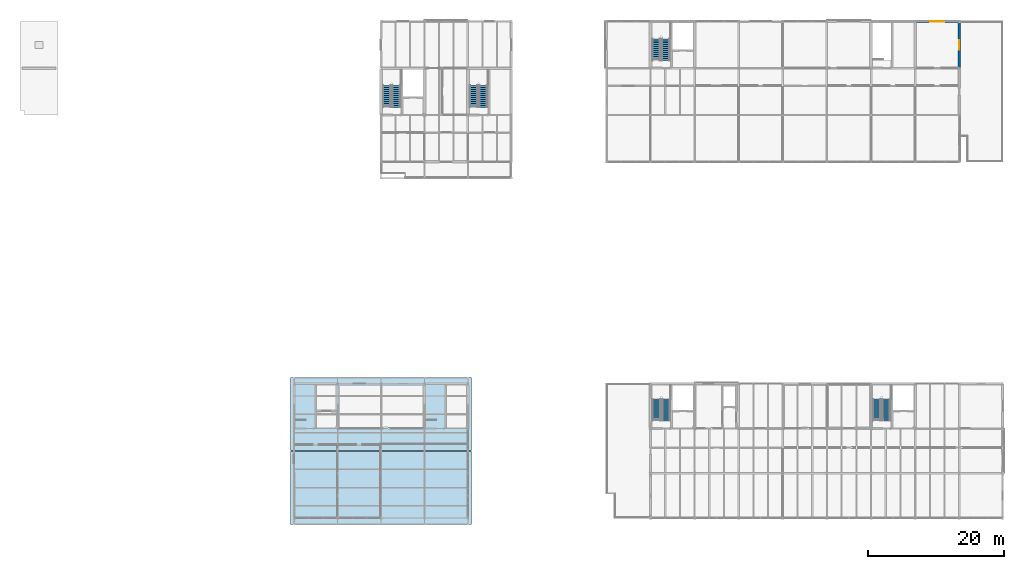
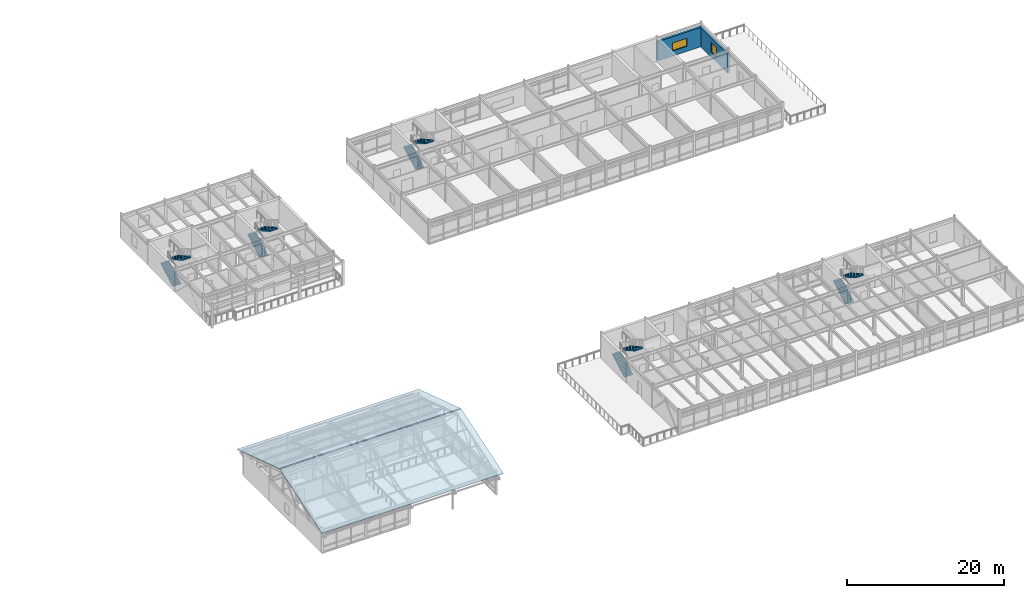
# One storey, part 51 of 57: 10 stair flights, 2 roofs, 2 walls, 2 windows, 2 openings, 5 elements without a shape of their own.
"""IFC4 building model written with IfcOpenShell, lengths in metres."""

from ifc_helpers import new_model, si_unit, direction, frame, frame_2d, origin, place, context, subcontext, project, spatial, polyline, rectangle, outline, extrude, material, layer, layer_set, type_object, element, fill, aggregate, save


model = new_model("IFC4")

# Units and contexts
model_context = context("Model", 3, precision=1e-05, world=origin(), true_north=direction((0.0, 1.0)))
body_context = subcontext(model_context, "Body", "Model", "MODEL_VIEW")
ifc_project = project(units=[si_unit("LENGTHUNIT", "METRE"), si_unit("AREAUNIT", "SQUARE_METRE"), si_unit("VOLUMEUNIT", "CUBIC_METRE"), si_unit("PLANEANGLEUNIT", "RADIAN"), si_unit("MASSUNIT", "GRAM", prefix="KILO")], contexts=[model_context])

# Site, building, storey
site_placement = place(None, origin())
site = spatial("IfcSite", under=ifc_project, at=site_placement, CompositionType="ELEMENT")
building_placement = place(site_placement, origin())
building = spatial("IfcBuilding", under=site, at=building_placement, Name="Trelmorton Wharf Fire Station", CompositionType="ELEMENT")
storey_placement = place(building_placement, frame((0.0, 0.0, 13.5)))
storey = spatial("IfcBuildingStorey", under=building, at=storey_placement, Name="L03", CompositionType="ELEMENT", Elevation=13.5)

# Wall, opening, window
ifc_material_1 = material(Name="Precast concrete 45 MPa", Category="concrete")
ifc_layer_1 = layer(ifc_material_1, 0.31005859375)
ifc_layer_set_1 = layer_set([ifc_layer_1], Name="Precast concrete 45 MPa")
wall_type = type_object("IfcWallType", Name="EW_TERR_310", PredefinedType="SOLIDWALL", material=ifc_layer_set_1)
wall_1_placement = place(storey_placement, frame((149.5048828125, 81.0, 0.0), z_axis=(0.0, 0.0, 1.0), x_axis=(1.0, 0.0, 0.0)))
wall_1 = element("IfcWall", 1, at=wall_1_placement, inside=storey, type_object=wall_type, Name="EW-V4-L03-0238", PredefinedType="SOLIDWALL", context=body_context, shape_type="SweptSolid", body=[
    extrude(rectangle(XDim=6.490234375, YDim=0.31005859375, at=frame_2d((3.2451171875, 0.0))), origin(), (0.0, 0.0, 1.0), 3.02001953125),
])
opening_1_placement = place(wall_1_placement, frame((2.195068359375, 0.0, 0.800048828125)))
opening_1 = element("IfcOpeningElement", 2, at=opening_1_placement, cuts=wall_1, Name="Opening W31", PredefinedType="OPENING", context=body_context, shape_type="SweptSolid", body=[
    extrude(rectangle(XDim=2.10009765625, YDim=1.25, at=frame_2d((1.050048828125, 0.625))), frame((0.0, 0.1650390625, 0.0), z_axis=(0.0, -1.0, 0.0), x_axis=(1.0, 0.0, 0.0)), (0.0, 0.0, 1.0), 0.330078125),
])
ifc_material_2 = material(Name="Tempered low-E double glazing", Category="glass")
window_type_1 = type_object("IfcWindowType", Name="WIN_W31", PartitioningType="DOUBLE_PANEL_VERTICAL", PredefinedType="WINDOW", material=ifc_material_2)
window_1_placement = place(opening_1_placement, origin())
window_1 = element("IfcWindow", 3, at=window_1_placement, inside=storey, type_object=window_type_1, Name="WN-V4-L03-0138", OverallHeight=1.25, OverallWidth=2.10009765625, PartitioningType="DOUBLE_PANEL_VERTICAL", PredefinedType="WINDOW", context=body_context, shape_type="SweptSolid", body=[
    extrude(rectangle(XDim=2.10009765625, YDim=1.25, at=frame_2d((1.050048828125, 0.625))), frame((0.0, 0.030029296875, 0.0), z_axis=(0.0, -1.0, 0.0), x_axis=(1.0, 0.0, 0.0)), (0.0, 0.0, 1.0), 0.06005859375),
])
fill(opening_1, window_1)

wall_2_placement = place(storey_placement, frame((156.0, 80.9951171875, 0.0), z_axis=(0.0, 0.0, 1.0), x_axis=(0.0, -1.0, 0.0)))
wall_2 = element("IfcWall", 4, at=wall_2_placement, inside=storey, type_object=wall_type, Name="EW-V4-L03-0244", PredefinedType="SOLIDWALL", context=body_context, shape_type="SweptSolid", body=[
    extrude(rectangle(XDim=6.89013671875, YDim=0.31005859375, at=frame_2d((3.445068359375, 0.0))), origin(), (0.0, 0.0, 1.0), 3.02001953125),
])
opening_2_placement = place(wall_2_placement, frame((2.7451171875, 0.0, 0.800048828125)))
opening_2 = element("IfcOpeningElement", 5, at=opening_2_placement, cuts=wall_2, Name="Opening W35", PredefinedType="OPENING", context=body_context, shape_type="SweptSolid", body=[
    extrude(rectangle(XDim=1.39990234375, YDim=1.5, at=frame_2d((0.699951171875, 0.75))), frame((0.0, 0.1650390625, 0.0), z_axis=(0.0, -1.0, 0.0), x_axis=(1.0, 0.0, 0.0)), (0.0, 0.0, 1.0), 0.330078125),
])
window_type_2 = type_object("IfcWindowType", Name="WIN_W35", PartitioningType="SINGLE_PANEL", PredefinedType="WINDOW", material=ifc_material_2)
window_2_placement = place(opening_2_placement, origin())
window_2 = element("IfcWindow", 6, at=window_2_placement, inside=storey, type_object=window_type_2, Name="WN-V4-L03-0142", OverallHeight=1.5, OverallWidth=1.39990234375, PartitioningType="SINGLE_PANEL", PredefinedType="WINDOW", context=body_context, shape_type="SweptSolid", body=[
    extrude(rectangle(XDim=1.39990234375, YDim=1.5, at=frame_2d((0.699951171875, 0.75))), frame((0.0, 0.030029296875, 0.0), z_axis=(0.0, -1.0, 0.0), x_axis=(1.0, 0.0, 0.0)), (0.0, 0.0, 1.0), 0.06005859375),
])
fill(opening_2, window_2)

# Stair, stair flights
stair_type_1 = type_object("IfcStairType", Name="ST_TWO_390", PredefinedType="TWO_STRAIGHT_RUN_STAIR", material=ifc_material_1)
stair_1_placement = place(storey_placement, origin())
stair_1 = element("IfcStair", 7, at=stair_1_placement, inside=storey, type_object=stair_type_1, Name="Escape Stair ST5-L03", PredefinedType="TWO_STRAIGHT_RUN_STAIR")
ifc_layer_2 = layer(ifc_material_1, 0.139892578125)
ifc_layer_set_2 = layer_set([ifc_layer_2], Name="Precast concrete 45 MPa")
stair_flight_type_1 = type_object("IfcStairFlightType", Name="SF_PRE_120", PredefinedType="STRAIGHT", material=ifc_layer_set_2)
stair_flight_1_placement = place(storey_placement, frame((143.860107421875, 22.139892578125, 0.0), z_axis=(0.0, 0.0, 1.0), x_axis=(0.0, 1.0, 0.0)))
stair_flight_1 = element("IfcStairFlight", 8, at=stair_flight_1_placement, type_object=stair_flight_type_1, Name="ST5-L03 flight 1", NumberOfRisers=12, NumberOfTreads=11, PredefinedType="STRAIGHT", RiserHeight=0.1625, TreadLength=0.29, context=body_context, shape_type="SweptSolid", body=[
    extrude(outline(polyline([(0.0, 0.0), (0.0, 0.16259765625), (0.2900390625, 0.16259765625), (0.2900390625, 0.324951171875), (0.580078125, 0.324951171875), (0.580078125, 0.487548828125), (0.8701171875, 0.487548828125), (0.8701171875, 0.64990234375), (1.159912109375, 0.64990234375), (1.159912109375, 0.8125), (1.449951171875, 0.8125), (1.449951171875, 0.97509765625), (1.739990234375, 0.97509765625), (1.739990234375, 1.137451171875), (2.030029296875, 1.137451171875), (2.030029296875, 1.300048828125), (2.320068359375, 1.300048828125), (2.320068359375, 1.46240234375), (2.610107421875, 1.46240234375), (2.610107421875, 1.625), (2.89990234375, 1.625), (2.89990234375, 1.78759765625), (3.18994140625, 1.78759765625), (3.18994140625, 1.949951171875), (3.18994140625, 1.604248046875), (0.3271484375, 0.0), (0.0, 0.0)])), frame((0.0, 0.60009765625, 0.0), z_axis=(0.0, -1.0, 0.0), x_axis=(1.0, 0.0, 0.0)), (0.0, 0.0, 1.0), 1.199951171875),
])
stair_flight_2_placement = place(storey_placement, frame((145.260009765625, 25.330078125, 1.949951171875), z_axis=(0.0, 0.0, 1.0), x_axis=(0.0, -1.0, 0.0)))
stair_flight_2 = element("IfcStairFlight", 9, at=stair_flight_2_placement, type_object=stair_flight_type_1, Name="ST5-L03 flight 2", NumberOfRisers=12, NumberOfTreads=11, PredefinedType="STRAIGHT", RiserHeight=0.1625, TreadLength=0.29, context=body_context, shape_type="SweptSolid", body=[
    extrude(outline(polyline([(0.0, 0.0), (0.0, 0.16259765625), (0.2900390625, 0.16259765625), (0.2900390625, 0.324951171875), (0.580078125, 0.324951171875), (0.580078125, 0.487548828125), (0.8701171875, 0.487548828125), (0.8701171875, 0.64990234375), (1.159912109375, 0.64990234375), (1.159912109375, 0.8125), (1.449951171875, 0.8125), (1.449951171875, 0.97509765625), (1.739990234375, 0.97509765625), (1.739990234375, 1.137451171875), (2.030029296875, 1.137451171875), (2.030029296875, 1.300048828125), (2.320068359375, 1.300048828125), (2.320068359375, 1.46240234375), (2.610107421875, 1.46240234375), (2.610107421875, 1.625), (2.89990234375, 1.625), (2.89990234375, 1.78759765625), (3.18994140625, 1.78759765625), (3.18994140625, 1.949951171875), (3.18994140625, 1.604248046875), (0.3271484375, 0.0), (0.0, 0.0)])), frame((0.0, 0.60009765625, 0.0), z_axis=(0.0, -1.0, 0.0), x_axis=(1.0, 0.0, 0.0)), (0.0, 0.0, 1.0), 1.199951171875),
])
aggregate(stair_1, [stair_flight_1, stair_flight_2])

stair_type_2 = type_object("IfcStairType", Name="ST_DOG_390", PredefinedType="HALF_TURN_STAIR", material=ifc_material_1)
stair_2_placement = place(storey_placement, origin())
stair_2 = element("IfcStair", 10, at=stair_2_placement, inside=storey, type_object=stair_type_2, Name="Escape Stair ST8-L03", PredefinedType="HALF_TURN_STAIR")
stair_flight_3_placement = place(storey_placement, frame((71.659912109375, 68.340087890625, 0.0), z_axis=(0.0, 0.0, 1.0), x_axis=(0.0, 1.0, 0.0)))
stair_flight_3 = element("IfcStairFlight", 11, at=stair_flight_3_placement, type_object=stair_flight_type_1, Name="ST8-L03 flight 1", NumberOfRisers=12, NumberOfTreads=11, PredefinedType="STRAIGHT", RiserHeight=0.1625, TreadLength=0.29, context=body_context, shape_type="SweptSolid", body=[
    extrude(outline(polyline([(0.0, 0.0), (0.0, 0.16259765625), (0.2900390625, 0.16259765625), (0.2900390625, 0.324951171875), (0.580078125, 0.324951171875), (0.580078125, 0.487548828125), (0.8701171875, 0.487548828125), (0.8701171875, 0.64990234375), (1.159912109375, 0.64990234375), (1.159912109375, 0.8125), (1.449951171875, 0.8125), (1.449951171875, 0.97509765625), (1.739990234375, 0.97509765625), (1.739990234375, 1.137451171875), (2.030029296875, 1.137451171875), (2.030029296875, 1.300048828125), (2.320068359375, 1.300048828125), (2.320068359375, 1.46240234375), (2.610107421875, 1.46240234375), (2.610107421875, 1.625), (2.89990234375, 1.625), (2.89990234375, 1.78759765625), (3.18994140625, 1.78759765625), (3.18994140625, 1.949951171875), (3.18994140625, 1.604248046875), (0.3271484375, 0.0), (0.0, 0.0)])), frame((0.0, 0.60009765625, 0.0), z_axis=(0.0, -1.0, 0.0), x_axis=(1.0, 0.0, 0.0)), (0.0, 0.0, 1.0), 1.199951171875),
])
stair_flight_4_placement = place(storey_placement, frame((73.06005859375, 71.530029296875, 1.949951171875), z_axis=(0.0, 0.0, 1.0), x_axis=(0.0, -1.0, 0.0)))
stair_flight_4 = element("IfcStairFlight", 12, at=stair_flight_4_placement, type_object=stair_flight_type_1, Name="ST8-L03 flight 2", NumberOfRisers=12, NumberOfTreads=11, PredefinedType="STRAIGHT", RiserHeight=0.1625, TreadLength=0.29, context=body_context, shape_type="SweptSolid", body=[
    extrude(outline(polyline([(0.0, 0.0), (0.0, 0.16259765625), (0.2900390625, 0.16259765625), (0.2900390625, 0.324951171875), (0.580078125, 0.324951171875), (0.580078125, 0.487548828125), (0.8701171875, 0.487548828125), (0.8701171875, 0.64990234375), (1.159912109375, 0.64990234375), (1.159912109375, 0.8125), (1.449951171875, 0.8125), (1.449951171875, 0.97509765625), (1.739990234375, 0.97509765625), (1.739990234375, 1.137451171875), (2.030029296875, 1.137451171875), (2.030029296875, 1.300048828125), (2.320068359375, 1.300048828125), (2.320068359375, 1.46240234375), (2.610107421875, 1.46240234375), (2.610107421875, 1.625), (2.89990234375, 1.625), (2.89990234375, 1.78759765625), (3.18994140625, 1.78759765625), (3.18994140625, 1.949951171875), (3.18994140625, 1.604248046875), (0.3271484375, 0.0), (0.0, 0.0)])), frame((0.0, 0.60009765625, 0.0), z_axis=(0.0, -1.0, 0.0), x_axis=(1.0, 0.0, 0.0)), (0.0, 0.0, 1.0), 1.199951171875),
])
aggregate(stair_2, [stair_flight_3, stair_flight_4])

stair_3_placement = place(storey_placement, origin())
stair_3 = element("IfcStair", 13, at=stair_3_placement, inside=storey, type_object=stair_type_2, Name="Escape Stair ST9-L03", PredefinedType="HALF_TURN_STAIR")
stair_flight_5_placement = place(storey_placement, frame((84.4599609375, 68.340087890625, 0.0), z_axis=(0.0, 0.0, 1.0), x_axis=(0.0, 1.0, 0.0)))
stair_flight_5 = element("IfcStairFlight", 14, at=stair_flight_5_placement, type_object=stair_flight_type_1, Name="ST9-L03 flight 1", NumberOfRisers=12, NumberOfTreads=11, PredefinedType="STRAIGHT", RiserHeight=0.1625, TreadLength=0.29, context=body_context, shape_type="SweptSolid", body=[
    extrude(outline(polyline([(0.0, 0.0), (0.0, 0.16259765625), (0.2900390625, 0.16259765625), (0.2900390625, 0.324951171875), (0.580078125, 0.324951171875), (0.580078125, 0.487548828125), (0.8701171875, 0.487548828125), (0.8701171875, 0.64990234375), (1.159912109375, 0.64990234375), (1.159912109375, 0.8125), (1.449951171875, 0.8125), (1.449951171875, 0.97509765625), (1.739990234375, 0.97509765625), (1.739990234375, 1.137451171875), (2.030029296875, 1.137451171875), (2.030029296875, 1.300048828125), (2.320068359375, 1.300048828125), (2.320068359375, 1.46240234375), (2.610107421875, 1.46240234375), (2.610107421875, 1.625), (2.89990234375, 1.625), (2.89990234375, 1.78759765625), (3.18994140625, 1.78759765625), (3.18994140625, 1.949951171875), (3.18994140625, 1.604248046875), (0.3271484375, 0.0), (0.0, 0.0)])), frame((0.0, 0.60009765625, 0.0), z_axis=(0.0, -1.0, 0.0), x_axis=(1.0, 0.0, 0.0)), (0.0, 0.0, 1.0), 1.199951171875),
])
stair_flight_6_placement = place(storey_placement, frame((85.860107421875, 71.530029296875, 1.949951171875), z_axis=(0.0, 0.0, 1.0), x_axis=(0.0, -1.0, 0.0)))
stair_flight_6 = element("IfcStairFlight", 15, at=stair_flight_6_placement, type_object=stair_flight_type_1, Name="ST9-L03 flight 2", NumberOfRisers=12, NumberOfTreads=11, PredefinedType="STRAIGHT", RiserHeight=0.1625, TreadLength=0.29, context=body_context, shape_type="SweptSolid", body=[
    extrude(outline(polyline([(0.0, 0.0), (0.0, 0.16259765625), (0.2900390625, 0.16259765625), (0.2900390625, 0.324951171875), (0.580078125, 0.324951171875), (0.580078125, 0.487548828125), (0.8701171875, 0.487548828125), (0.8701171875, 0.64990234375), (1.159912109375, 0.64990234375), (1.159912109375, 0.8125), (1.449951171875, 0.8125), (1.449951171875, 0.97509765625), (1.739990234375, 0.97509765625), (1.739990234375, 1.137451171875), (2.030029296875, 1.137451171875), (2.030029296875, 1.300048828125), (2.320068359375, 1.300048828125), (2.320068359375, 1.46240234375), (2.610107421875, 1.46240234375), (2.610107421875, 1.625), (2.89990234375, 1.625), (2.89990234375, 1.78759765625), (3.18994140625, 1.78759765625), (3.18994140625, 1.949951171875), (3.18994140625, 1.604248046875), (0.3271484375, 0.0), (0.0, 0.0)])), frame((0.0, 0.60009765625, 0.0), z_axis=(0.0, -1.0, 0.0), x_axis=(1.0, 0.0, 0.0)), (0.0, 0.0, 1.0), 1.199951171875),
])
aggregate(stair_3, [stair_flight_5, stair_flight_6])

stair_4_placement = place(storey_placement, origin())
stair_4 = element("IfcStair", 16, at=stair_4_placement, inside=storey, type_object=stair_type_2, Name="Escape Stair ST10-L03", PredefinedType="HALF_TURN_STAIR")
stair_flight_7_placement = place(storey_placement, frame((111.360107421875, 75.239990234375, 0.0), z_axis=(0.0, 0.0, 1.0), x_axis=(0.0, 1.0, 0.0)))
stair_flight_7 = element("IfcStairFlight", 17, at=stair_flight_7_placement, type_object=stair_flight_type_1, Name="ST10-L03 flight 1", NumberOfRisers=12, NumberOfTreads=11, PredefinedType="STRAIGHT", RiserHeight=0.1625, TreadLength=0.29, context=body_context, shape_type="SweptSolid", body=[
    extrude(outline(polyline([(0.0, 0.0), (0.0, 0.16259765625), (0.2900390625, 0.16259765625), (0.2900390625, 0.324951171875), (0.580078125, 0.324951171875), (0.580078125, 0.487548828125), (0.8701171875, 0.487548828125), (0.8701171875, 0.64990234375), (1.159912109375, 0.64990234375), (1.159912109375, 0.8125), (1.449951171875, 0.8125), (1.449951171875, 0.97509765625), (1.739990234375, 0.97509765625), (1.739990234375, 1.137451171875), (2.030029296875, 1.137451171875), (2.030029296875, 1.300048828125), (2.320068359375, 1.300048828125), (2.320068359375, 1.46240234375), (2.610107421875, 1.46240234375), (2.610107421875, 1.625), (2.89990234375, 1.625), (2.89990234375, 1.78759765625), (3.18994140625, 1.78759765625), (3.18994140625, 1.949951171875), (3.18994140625, 1.604248046875), (0.3271484375, 0.0), (0.0, 0.0)])), frame((0.0, 0.60009765625, 0.0), z_axis=(0.0, -1.0, 0.0), x_axis=(1.0, 0.0, 0.0)), (0.0, 0.0, 1.0), 1.199951171875),
])
stair_flight_8_placement = place(storey_placement, frame((112.760009765625, 78.429931640625, 1.949951171875), z_axis=(0.0, 0.0, 1.0), x_axis=(0.0, -1.0, 0.0)))
stair_flight_8 = element("IfcStairFlight", 18, at=stair_flight_8_placement, type_object=stair_flight_type_1, Name="ST10-L03 flight 2", NumberOfRisers=12, NumberOfTreads=11, PredefinedType="STRAIGHT", RiserHeight=0.1625, TreadLength=0.29, context=body_context, shape_type="SweptSolid", body=[
    extrude(outline(polyline([(0.0, 0.0), (0.0, 0.16259765625), (0.2900390625, 0.16259765625), (0.2900390625, 0.324951171875), (0.580078125, 0.324951171875), (0.580078125, 0.487548828125), (0.8701171875, 0.487548828125), (0.8701171875, 0.64990234375), (1.159912109375, 0.64990234375), (1.159912109375, 0.8125), (1.449951171875, 0.8125), (1.449951171875, 0.97509765625), (1.739990234375, 0.97509765625), (1.739990234375, 1.137451171875), (2.030029296875, 1.137451171875), (2.030029296875, 1.300048828125), (2.320068359375, 1.300048828125), (2.320068359375, 1.46240234375), (2.610107421875, 1.46240234375), (2.610107421875, 1.625), (2.89990234375, 1.625), (2.89990234375, 1.78759765625), (3.18994140625, 1.78759765625), (3.18994140625, 1.949951171875), (3.18994140625, 1.604248046875), (0.3271484375, 0.0), (0.0, 0.0)])), frame((0.0, 0.60009765625, 0.0), z_axis=(0.0, -1.0, 0.0), x_axis=(1.0, 0.0, 0.0)), (0.0, 0.0, 1.0), 1.199951171875),
])
aggregate(stair_4, [stair_flight_7, stair_flight_8])

stair_5_placement = place(storey_placement, origin())
stair_5 = element("IfcStair", 19, at=stair_5_placement, inside=storey, type_object=stair_type_2, Name="Escape Stair ST4-L03", PredefinedType="HALF_TURN_STAIR")
ifc_layer_3 = layer(ifc_material_1, 0.159912109375)
ifc_layer_set_3 = layer_set([ifc_layer_3], Name="Precast concrete 45 MPa")
stair_flight_type_2 = type_object("IfcStairFlightType", Name="SF_PRE_124", PredefinedType="STRAIGHT", material=ifc_layer_set_3)
stair_flight_9_placement = place(storey_placement, frame((111.3798828125, 22.139892578125, 0.0), z_axis=(0.0, 0.0, 1.0), x_axis=(0.0, 1.0, 0.0)))
stair_flight_9 = element("IfcStairFlight", 20, at=stair_flight_9_placement, type_object=stair_flight_type_2, Name="ST4-L03 flight 1", NumberOfRisers=12, NumberOfTreads=11, PredefinedType="STRAIGHT", RiserHeight=0.1625, TreadLength=0.29, context=body_context, shape_type="SweptSolid", body=[
    extrude(outline(polyline([(0.0, 0.0), (0.0, 0.16259765625), (0.2900390625, 0.16259765625), (0.2900390625, 0.324951171875), (0.580078125, 0.324951171875), (0.580078125, 0.487548828125), (0.8701171875, 0.487548828125), (0.8701171875, 0.64990234375), (1.159912109375, 0.64990234375), (1.159912109375, 0.8125), (1.449951171875, 0.8125), (1.449951171875, 0.97509765625), (1.739990234375, 0.97509765625), (1.739990234375, 1.137451171875), (2.030029296875, 1.137451171875), (2.030029296875, 1.300048828125), (2.320068359375, 1.300048828125), (2.320068359375, 1.46240234375), (2.610107421875, 1.46240234375), (2.610107421875, 1.625), (2.89990234375, 1.625), (2.89990234375, 1.78759765625), (3.18994140625, 1.78759765625), (3.18994140625, 1.949951171875), (3.18994140625, 1.604248046875), (0.3271484375, 0.0), (0.0, 0.0)])), frame((0.0, 0.6201171875, 0.0), z_axis=(0.0, -1.0, 0.0), x_axis=(1.0, 0.0, 0.0)), (0.0, 0.0, 1.0), 1.239990234375),
])
stair_flight_10_placement = place(storey_placement, frame((112.820068359375, 25.330078125, 1.949951171875), z_axis=(0.0, 0.0, 1.0), x_axis=(0.0, -1.0, 0.0)))
stair_flight_10 = element("IfcStairFlight", 21, at=stair_flight_10_placement, type_object=stair_flight_type_2, Name="ST4-L03 flight 2", NumberOfRisers=12, NumberOfTreads=11, PredefinedType="STRAIGHT", RiserHeight=0.1625, TreadLength=0.29, context=body_context, shape_type="SweptSolid", body=[
    extrude(outline(polyline([(0.0, 0.0), (0.0, 0.16259765625), (0.2900390625, 0.16259765625), (0.2900390625, 0.324951171875), (0.580078125, 0.324951171875), (0.580078125, 0.487548828125), (0.8701171875, 0.487548828125), (0.8701171875, 0.64990234375), (1.159912109375, 0.64990234375), (1.159912109375, 0.8125), (1.449951171875, 0.8125), (1.449951171875, 0.97509765625), (1.739990234375, 0.97509765625), (1.739990234375, 1.137451171875), (2.030029296875, 1.137451171875), (2.030029296875, 1.300048828125), (2.320068359375, 1.300048828125), (2.320068359375, 1.46240234375), (2.610107421875, 1.46240234375), (2.610107421875, 1.625), (2.89990234375, 1.625), (2.89990234375, 1.78759765625), (3.18994140625, 1.78759765625), (3.18994140625, 1.949951171875), (3.18994140625, 1.604248046875), (0.3271484375, 0.0), (0.0, 0.0)])), frame((0.0, 0.6201171875, 0.0), z_axis=(0.0, -1.0, 0.0), x_axis=(1.0, 0.0, 0.0)), (0.0, 0.0, 1.0), 1.239990234375),
])
aggregate(stair_5, [stair_flight_9, stair_flight_10])

# Roofs
ifc_material_3 = material(Name="Colorsteel standing-seam roofing", Category="steel")
ifc_layer_4 = layer(ifc_material_3, 0.06005859375)
ifc_layer_set_4 = layer_set([ifc_layer_4], Name="Colorsteel standing-seam roofing")
roof_type = type_object("IfcRoofType", Name="RF_STANDING_SEAM", PredefinedType="GABLE_ROOF", material=ifc_layer_set_4)
roof_1_placement = place(storey_placement, frame((57.449951171875, 6.89990234375, 3.669189453125), z_axis=(0.0, -0.309619741859, 0.950860460557), x_axis=(1.0, 0.0, 0.0)))
element("IfcRoof", 22, at=roof_1_placement, inside=storey, type_object=roof_type, Name="RF-GABLE-V3-S", PredefinedType="GABLE_ROOF", context=body_context, shape_type="SweptSolid", body=[
    extrude(outline(polyline([(0.0, 0.0), (26.699951171875, 0.0), (26.699951171875, 11.274225071330397), (0.0, 11.274225071330397), (0.0, 0.0)])), origin(), (0.0, 0.0, -1.0), 0.06005859375),
])
roof_2_placement = place(storey_placement, frame((57.449951171875, 17.780029296875, 7.159912109375), z_axis=(0.0, 0.309626117257, 0.950858384573), x_axis=(1.0, 0.0, 0.0)))
element("IfcRoof", 23, at=roof_2_placement, inside=storey, type_object=roof_type, Name="RF-GABLE-V3-N", PredefinedType="GABLE_ROOF", context=body_context, shape_type="SweptSolid", body=[
    extrude(outline(polyline([(0.0, 0.0), (26.699951171875, 0.0), (26.699951171875, 11.273992927916682), (0.0, 11.273992927916682), (0.0, 0.0)])), origin(), (0.0, 0.0, -1.0), 0.06005859375),
])

save(model, "model.ifc")
